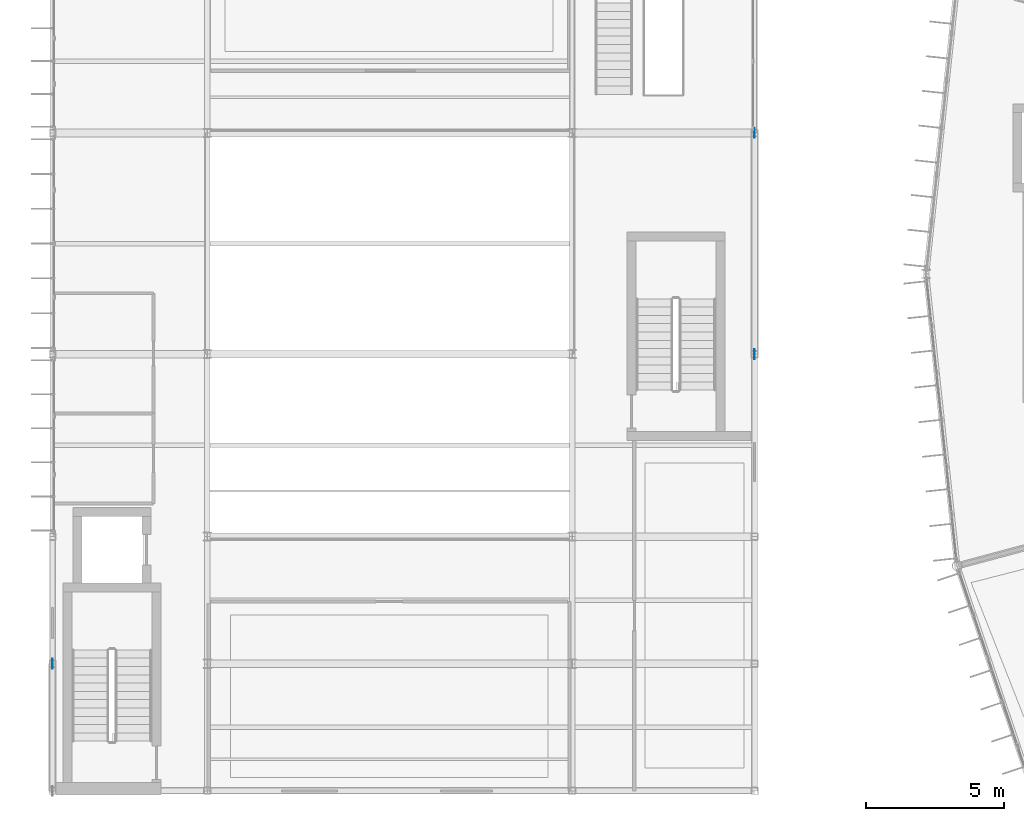
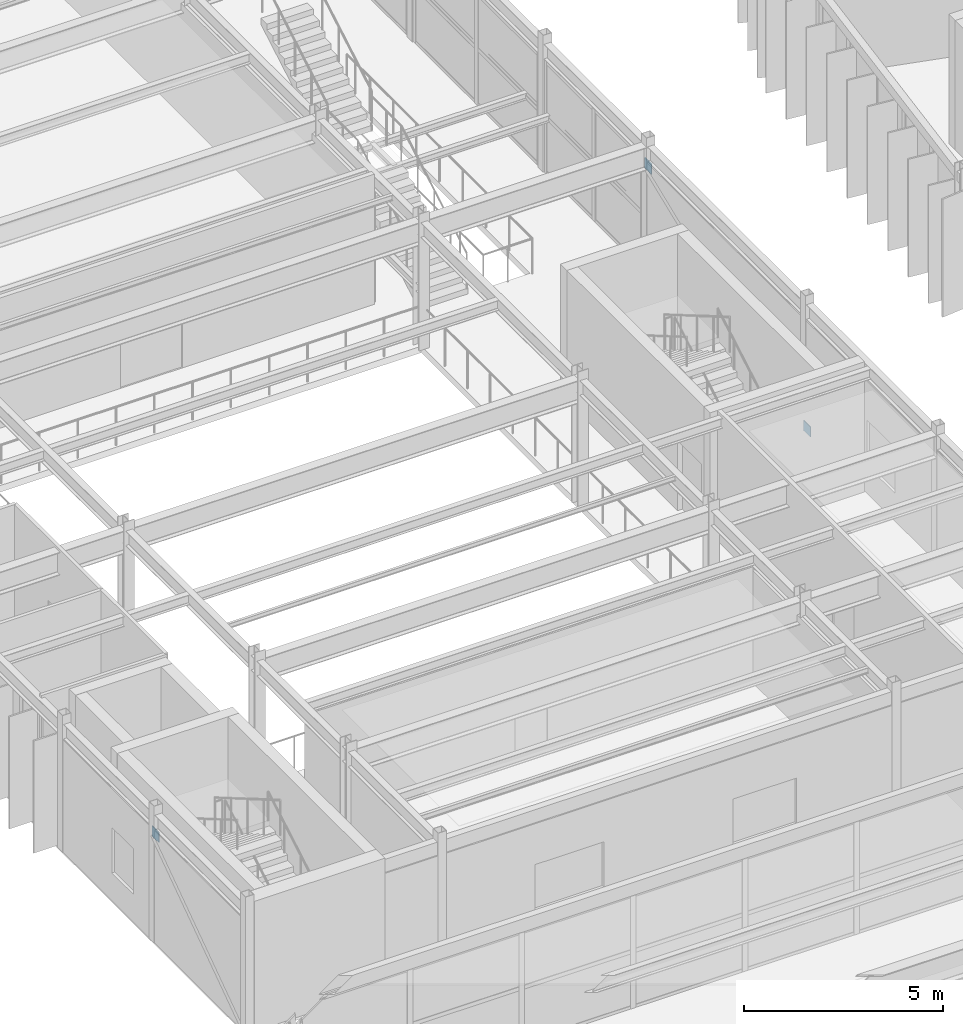
# One storey, part 111 of 148: 3 plates.
"""IFC4 building model written with IfcOpenShell, lengths in metres."""

from ifc_helpers import new_model, si_unit, direction, frame, origin, origin_2d, place, context, subcontext, project, spatial, rectangle, extrude, material, layer, layer_set, type_object, element, save


model = new_model("IFC4")

# Units and contexts
model_context = context("Model", 3, precision=1e-05, world=origin(), true_north=direction((0.0, 1.0)))
body_context = subcontext(model_context, "Body", "Model", "MODEL_VIEW")
ifc_project = project(units=[si_unit("LENGTHUNIT", "METRE"), si_unit("AREAUNIT", "SQUARE_METRE"), si_unit("VOLUMEUNIT", "CUBIC_METRE"), si_unit("PLANEANGLEUNIT", "RADIAN"), si_unit("MASSUNIT", "GRAM", prefix="KILO")], contexts=[model_context])

# Site, building, storey
site_placement = place(None, origin())
site = spatial("IfcSite", under=ifc_project, at=site_placement, CompositionType="ELEMENT")
building_placement = place(site_placement, origin())
building = spatial("IfcBuilding", under=site, at=building_placement, Name="Karori Crest Natural Sciences Institute", CompositionType="ELEMENT")
storey_placement = place(building_placement, frame((0.0, 0.0, 4.89990234375)))
storey = spatial("IfcBuildingStorey", under=building, at=storey_placement, Name="L01", CompositionType="ELEMENT", Elevation=4.89990234375)

# Plates
ifc_material = material(Name="Structural steel AS/NZS 3679.1 Grade 350", Category="steel")
ifc_layer = layer(ifc_material, 0.02490234375, Name="Structural steel AS/NZS 3679.1 Grade 350")
ifc_layer_set = layer_set([ifc_layer], Name="Structural steel AS/NZS 3679.1 Grade 350")
plate_type = type_object("IfcPlateType", Name="PLT-06-EL", PredefinedType="SHEET", material=ifc_layer_set)
for number, where, z_axis, x_axis, name in (
    (1, (1.800048828125, 35.800048828125, 3.073486328125), (0.0, 0.0, 1.0), (0.0, 1.0, 0.0), "Brace gusset plate EP-0246"),
    (2, (27.199951171875, 47.0, -0.146484375), (0.0, 0.0, 1.0), (0.0, 1.0, 0.0), "Brace gusset plate EP-0247"),
    (3, (27.199951171875, 55.0, 3.073486328125), (0.0, 0.0, 1.0), (0.0, 1.0, 0.0), "Brace gusset plate EP-0248"),
):
    element("IfcPlate", number, at=place(storey_placement, frame(where, z_axis=z_axis, x_axis=x_axis)), inside=storey, type_object=plate_type, Name=name, PredefinedType="SHEET", context=body_context, shape_type="SweptSolid", body=[
        extrude(rectangle(XDim=0.35302734375, YDim=0.02490234375, at=origin_2d()), origin(), (0.0, 0.0, 1.0), 0.31298828125),
    ])

save(model, "model.ifc")
